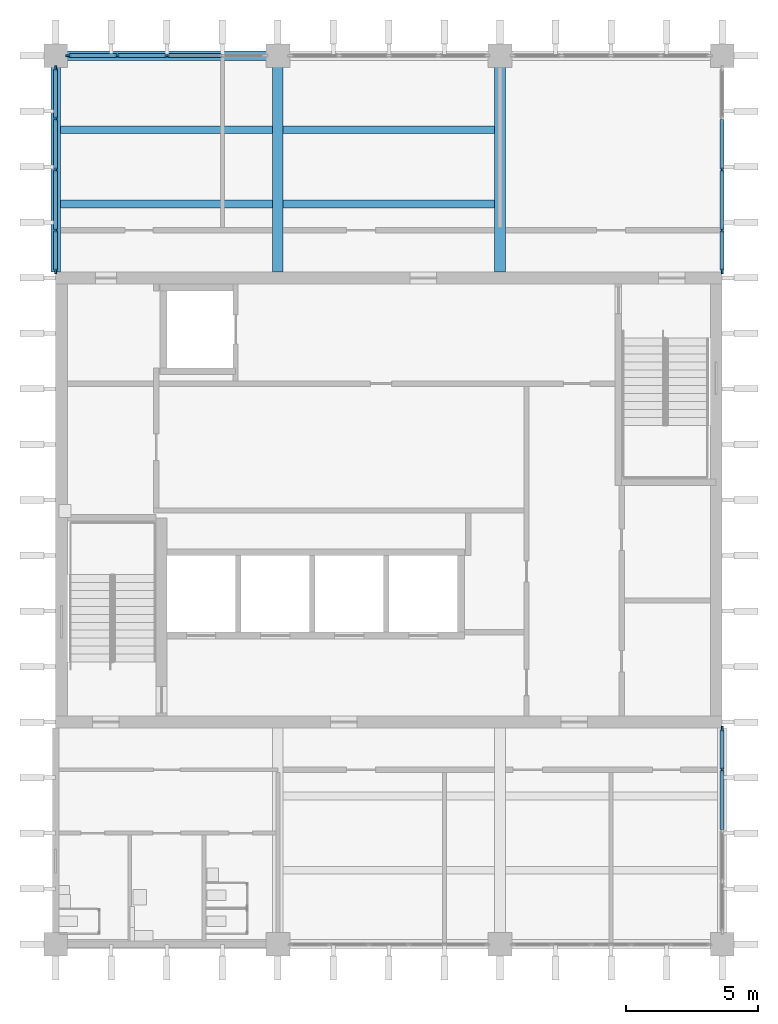
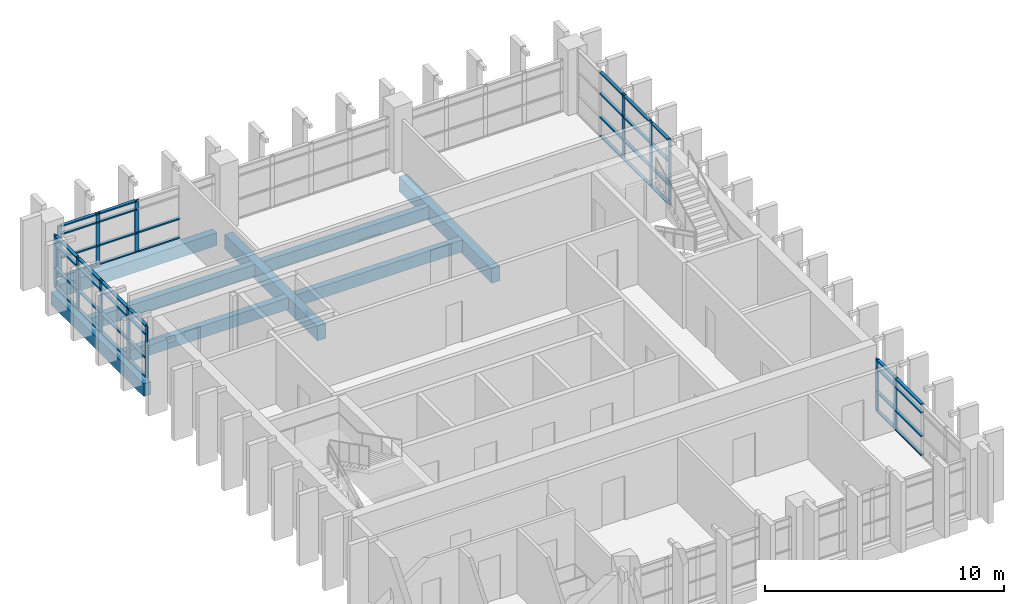
# One storey, part 3 of 11: 59 members, 8 beams, 4 elements without a shape of their own.
"""IFC4 building model written with IfcOpenShell, lengths in metres."""

from ifc_helpers import new_model, si_unit, direction, frame, origin, origin_2d, place, context, subcontext, project, spatial, rectangle, extrude, material, layer, layer_set, material_profile, profile_set, type_object, element, aggregate, save


model = new_model("IFC4")

# Units and contexts
model_context = context("Model", 3, precision=1e-05, world=origin(), true_north=direction((0.0, 1.0)))
body_context = subcontext(model_context, "Body", "Model", "MODEL_VIEW")
ifc_project = project(units=[si_unit("LENGTHUNIT", "METRE"), si_unit("AREAUNIT", "SQUARE_METRE"), si_unit("VOLUMEUNIT", "CUBIC_METRE"), si_unit("PLANEANGLEUNIT", "RADIAN"), si_unit("MASSUNIT", "GRAM", prefix="KILO")], contexts=[model_context])

# Site, building, storey
site_placement = place(None, origin())
site = spatial("IfcSite", under=ifc_project, at=site_placement, CompositionType="ELEMENT")
building_placement = place(site_placement, origin())
building = spatial("IfcBuilding", under=site, at=building_placement, Name="Rulbaag Community and Learning Centre", CompositionType="ELEMENT")
storey_placement = place(building_placement, frame((0.0, 0.0, 32.39990234375)))
storey = spatial("IfcBuildingStorey", under=building, at=storey_placement, Name="L08", CompositionType="ELEMENT", Elevation=32.39990234375)

# Beams
ifc_material_1 = material(Name="Concrete M40", Category="concrete")
ifc_material_profile_1 = material_profile(ifc_material_1, rectangle(XDim=0.35009765625, YDim=0.64990234375, at=origin_2d()), Name="RB350x650")
ifc_profile_set_1 = profile_set([ifc_material_profile_1], Name="Concrete M40")
beam_type_1 = type_object("IfcBeamType", Name="B14 Tower edge beam, upper zone 350x650 Concrete M40", PredefinedType="BEAM", material=ifc_profile_set_1)
beam_1_placement = place(storey_placement, frame((142.800048828125, 109.425048828125, -0.574951171875), z_axis=(0.0, 1.0, 0.0), x_axis=(-1.0, 0.0, 0.0)))
element("IfcBeam", 1, at=beam_1_placement, inside=storey, type_object=beam_type_1, Name="BM-L08-18N-18O", PredefinedType="BEAM", context=body_context, shape_type="SweptSolid", body=[
    extrude(rectangle(XDim=0.35009765625, YDim=0.64990234375, at=origin_2d()), origin(), (0.0, 0.0, 1.0), 7.744873046875),
])
beam_2_placement = place(storey_placement, frame((143.22998046875, 117.60009765625, -0.574951171875), z_axis=(1.0, 0.0, 0.0), x_axis=(0.0, 1.0, 0.0)))
element("IfcBeam", 2, at=beam_2_placement, inside=storey, type_object=beam_type_1, Name="BM-L08-18O-19O", PredefinedType="BEAM", context=body_context, shape_type="SweptSolid", body=[
    extrude(rectangle(XDim=0.35009765625, YDim=0.64990234375, at=origin_2d()), origin(), (0.0, 0.0, 1.0), 7.5400390625),
])
ifc_material_profile_2 = material_profile(ifc_material_1, rectangle(XDim=0.39990234375, YDim=0.75, at=origin_2d()), Name="RB400x750")
ifc_profile_set_2 = profile_set([ifc_material_profile_2], Name="Concrete M40")
beam_type_2 = type_object("IfcBeamType", Name="B15 Tower frame beam, middle zone 400x750 Concrete M40", PredefinedType="BEAM", material=ifc_profile_set_2)
for number, where, z_axis, x_axis, name in (
    (3, (151.199951171875, 109.425048828125, -0.625), (0.0, 1.0, 0.0), (-1.0, 0.0, 0.0), "BM-L08-19N-19O"),
    (4, (159.60009765625, 109.425048828125, -0.625), (0.0, 1.0, 0.0), (-1.0, 0.0, 0.0), "BM-L08-20N-20O"),
):
    element("IfcBeam", number, at=place(storey_placement, frame(where, z_axis=z_axis, x_axis=x_axis)), inside=storey, type_object=beam_type_2, Name=name, PredefinedType="BEAM", context=body_context, shape_type="SweptSolid", body=[
        extrude(rectangle(XDim=0.39990234375, YDim=0.75, at=origin_2d()), origin(), (0.0, 0.0, 1.0), 7.744873046875),
    ])
ifc_material_profile_3 = material_profile(ifc_material_1, rectangle(XDim=0.300048828125, YDim=0.60009765625, at=origin_2d()), Name="RB300x600")
ifc_profile_set_3 = profile_set([ifc_material_profile_3], Name="Concrete M40")
beam_type_3 = type_object("IfcBeamType", Name="B30 Secondary joist 300x600 Concrete M40", PredefinedType="BEAM", material=ifc_profile_set_3)
for number, where, z_axis, x_axis, name in (
    (5, (142.97509765625, 112.0, -0.5498046875), (1.0, 0.0, 0.0), (0.0, 1.0, 0.0), "BM-JS-L08-18N-1"),
    (6, (142.97509765625, 114.800048828125, -0.5498046875), (1.0, 0.0, 0.0), (0.0, 1.0, 0.0), "BM-JS-L08-18N-2"),
):
    element("IfcBeam", number, at=place(storey_placement, frame(where, z_axis=z_axis, x_axis=x_axis)), inside=storey, type_object=beam_type_3, Name=name, PredefinedType="BEAM", context=body_context, shape_type="SweptSolid", body=[
        extrude(rectangle(XDim=0.300048828125, YDim=0.60009765625, at=origin_2d()), origin(), (0.0, 0.0, 1.0), 8.02490234375),
    ])
for number, where, z_axis, x_axis, name in (
    (7, (151.39990234375, 112.0, -0.5498046875), (1.0, 0.0, 0.0), (0.0, 1.0, 0.0), "BM-JS-L08-19N-1"),
    (8, (151.39990234375, 114.800048828125, -0.5498046875), (1.0, 0.0, 0.0), (0.0, 1.0, 0.0), "BM-JS-L08-19N-2"),
):
    element("IfcBeam", number, at=place(storey_placement, frame(where, z_axis=z_axis, x_axis=x_axis)), inside=storey, type_object=beam_type_3, Name=name, PredefinedType="BEAM", context=body_context, shape_type="SweptSolid", body=[
        extrude(rectangle(XDim=0.300048828125, YDim=0.60009765625, at=origin_2d()), origin(), (0.0, 0.0, 1.0), 8.0),
    ])

# Curtain wall, members
ifc_material_2 = material(Name="Aluminium", Category="aluminium")
ifc_layer = layer(ifc_material_2, 0.14990234375)
ifc_layer_set = layer_set([ifc_layer], Name="CW-T")
curtain_wall_type = type_object("IfcCurtainWallType", Name="CW-T", PredefinedType="USERDEFINED", material=ifc_layer_set)
curtain_wall_1_placement = place(storey_placement, origin())
curtain_wall_1 = element("IfcCurtainWall", 9, at=curtain_wall_1_placement, inside=storey, type_object=curtain_wall_type, Name="GT-L08-01", ObjectType="UNITISED CURTAIN WALL", PredefinedType="USERDEFINED")
ifc_material_3 = material(Name="Aluminium mullion", Category="aluminium")
ifc_material_profile_4 = material_profile(ifc_material_3, rectangle(XDim=0.06494140625, YDim=0.199951171875, at=origin_2d()), Name="AL 65x200")
ifc_profile_set_4 = profile_set([ifc_material_profile_4], Name="Aluminium mullion")
member_type_1 = type_object("IfcMemberType", Name="CW-T-MUL", PredefinedType="MULLION", material=ifc_profile_set_4)
member_1_placement = place(storey_placement, frame((143.282470703125, 117.60009765625, 0.0), z_axis=(0.0, 0.0, 1.0), x_axis=(0.0, 1.0, 0.0)))
member_1 = element("IfcMember", 10, at=member_1_placement, type_object=member_type_1, Name="GT mullion 1", PredefinedType="MULLION", context=body_context, shape_type="SweptSolid", body=[
    extrude(rectangle(XDim=0.06494140625, YDim=0.199951171875, at=origin_2d()), origin(), (0.0, 0.0, 1.0), 2.650146484375),
])
member_2_placement = place(storey_placement, frame((145.125, 117.60009765625, 0.0), z_axis=(0.0, 0.0, 1.0), x_axis=(0.0, 1.0, 0.0)))
member_2 = element("IfcMember", 11, at=member_2_placement, type_object=member_type_1, Name="GT mullion 2", PredefinedType="MULLION", context=body_context, shape_type="SweptSolid", body=[
    extrude(rectangle(XDim=0.06494140625, YDim=0.199951171875, at=origin_2d()), origin(), (0.0, 0.0, 1.0), 2.650146484375),
])
member_3_placement = place(storey_placement, frame((147.0, 117.60009765625, 0.0), z_axis=(0.0, 0.0, 1.0), x_axis=(0.0, 1.0, 0.0)))
member_3 = element("IfcMember", 12, at=member_3_placement, type_object=member_type_1, Name="GT mullion 3", PredefinedType="MULLION", context=body_context, shape_type="SweptSolid", body=[
    extrude(rectangle(XDim=0.06494140625, YDim=0.199951171875, at=origin_2d()), origin(), (0.0, 0.0, 1.0), 2.650146484375),
])

curtain_wall_2_placement = place(storey_placement, origin())
curtain_wall_2 = element("IfcCurtainWall", 13, at=curtain_wall_2_placement, inside=storey, type_object=curtain_wall_type, Name="GT-L08-04", ObjectType="UNITISED CURTAIN WALL", PredefinedType="USERDEFINED")
member_4_placement = place(storey_placement, frame((142.800048828125, 109.45751953125, 0.0), z_axis=(0.0, 0.0, 1.0), x_axis=(-1.0, 0.0, 0.0)))
member_4 = element("IfcMember", 14, at=member_4_placement, type_object=member_type_1, Name="GT mullion 1", PredefinedType="MULLION", context=body_context, shape_type="SweptSolid", body=[
    extrude(rectangle(XDim=0.06494140625, YDim=0.199951171875, at=origin_2d()), origin(), (0.0, 0.0, 1.0), 2.650146484375),
])
member_5_placement = place(storey_placement, frame((142.800048828125, 111.0, 0.0), z_axis=(0.0, 0.0, 1.0), x_axis=(-1.0, 0.0, 0.0)))
member_5 = element("IfcMember", 15, at=member_5_placement, type_object=member_type_1, Name="GT mullion 2", PredefinedType="MULLION", context=body_context, shape_type="SweptSolid", body=[
    extrude(rectangle(XDim=0.06494140625, YDim=0.199951171875, at=origin_2d()), origin(), (0.0, 0.0, 1.0), 2.650146484375),
])
member_6_placement = place(storey_placement, frame((142.800048828125, 113.28759765625, 0.0), z_axis=(0.0, 0.0, 1.0), x_axis=(-1.0, 0.0, 0.0)))
member_6 = element("IfcMember", 16, at=member_6_placement, type_object=member_type_1, Name="GT mullion 3", PredefinedType="MULLION", context=body_context, shape_type="SweptSolid", body=[
    extrude(rectangle(XDim=0.06494140625, YDim=0.199951171875, at=origin_2d()), origin(), (0.0, 0.0, 1.0), 2.650146484375),
])
member_7_placement = place(storey_placement, frame((142.800048828125, 115.21875, 0.0), z_axis=(0.0, 0.0, 1.0), x_axis=(-1.0, 0.0, 0.0)))
member_7 = element("IfcMember", 17, at=member_7_placement, type_object=member_type_1, Name="GT mullion 4", PredefinedType="MULLION", context=body_context, shape_type="SweptSolid", body=[
    extrude(rectangle(XDim=0.06494140625, YDim=0.199951171875, at=origin_2d()), origin(), (0.0, 0.0, 1.0), 2.650146484375),
])
member_8_placement = place(storey_placement, frame((142.800048828125, 117.117431640625, 0.0), z_axis=(0.0, 0.0, 1.0), x_axis=(-1.0, 0.0, 0.0)))
member_8 = element("IfcMember", 18, at=member_8_placement, type_object=member_type_1, Name="GT mullion 5", PredefinedType="MULLION", context=body_context, shape_type="SweptSolid", body=[
    extrude(rectangle(XDim=0.06494140625, YDim=0.199951171875, at=origin_2d()), origin(), (0.0, 0.0, 1.0), 2.650146484375),
])

curtain_wall_3_placement = place(storey_placement, origin())
curtain_wall_3 = element("IfcCurtainWall", 19, at=curtain_wall_3_placement, inside=storey, type_object=curtain_wall_type, Name="GT-L08-05", ObjectType="UNITISED CURTAIN WALL", PredefinedType="USERDEFINED")
member_9_placement = place(storey_placement, frame((168.0, 90.60009765625, 0.0), z_axis=(0.0, 0.0, 1.0), x_axis=(-1.0, 0.0, 0.0)))
member_9 = element("IfcMember", 20, at=member_9_placement, type_object=member_type_1, Name="GT mullion 4", PredefinedType="MULLION", context=body_context, shape_type="SweptSolid", body=[
    extrude(rectangle(XDim=0.06494140625, YDim=0.199951171875, at=origin_2d()), origin(), (0.0, 0.0, 1.0), 2.650146484375),
])
member_10_placement = place(storey_placement, frame((168.0, 92.142578125, 0.0), z_axis=(0.0, 0.0, 1.0), x_axis=(-1.0, 0.0, 0.0)))
member_10 = element("IfcMember", 21, at=member_10_placement, type_object=member_type_1, Name="GT mullion 5", PredefinedType="MULLION", context=body_context, shape_type="SweptSolid", body=[
    extrude(rectangle(XDim=0.06494140625, YDim=0.199951171875, at=origin_2d()), origin(), (0.0, 0.0, 1.0), 2.650146484375),
])

curtain_wall_4_placement = place(storey_placement, origin())
curtain_wall_4 = element("IfcCurtainWall", 22, at=curtain_wall_4_placement, inside=storey, type_object=curtain_wall_type, Name="GT-L08-06", ObjectType="UNITISED CURTAIN WALL", PredefinedType="USERDEFINED")
member_11_placement = place(storey_placement, frame((168.0, 109.45751953125, 0.0), z_axis=(0.0, 0.0, 1.0), x_axis=(-1.0, 0.0, 0.0)))
member_11 = element("IfcMember", 23, at=member_11_placement, type_object=member_type_1, Name="GT mullion 1", PredefinedType="MULLION", context=body_context, shape_type="SweptSolid", body=[
    extrude(rectangle(XDim=0.06494140625, YDim=0.199951171875, at=origin_2d()), origin(), (0.0, 0.0, 1.0), 3.300048828125),
])
member_12_placement = place(storey_placement, frame((168.0, 111.0, 0.0), z_axis=(0.0, 0.0, 1.0), x_axis=(-1.0, 0.0, 0.0)))
member_12 = element("IfcMember", 24, at=member_12_placement, type_object=member_type_1, Name="GT mullion 2", PredefinedType="MULLION", context=body_context, shape_type="SweptSolid", body=[
    extrude(rectangle(XDim=0.06494140625, YDim=0.199951171875, at=origin_2d()), origin(), (0.0, 0.0, 1.0), 3.300048828125),
])
member_13_placement = place(storey_placement, frame((168.0, 113.28759765625, 0.0), z_axis=(0.0, 0.0, 1.0), x_axis=(-1.0, 0.0, 0.0)))
member_13 = element("IfcMember", 25, at=member_13_placement, type_object=member_type_1, Name="GT mullion 3", PredefinedType="MULLION", context=body_context, shape_type="SweptSolid", body=[
    extrude(rectangle(XDim=0.06494140625, YDim=0.199951171875, at=origin_2d()), origin(), (0.0, 0.0, 1.0), 3.300048828125),
])

# Member
ifc_material_4 = material(Name="Aluminium transom", Category="aluminium")
ifc_material_profile_5 = material_profile(ifc_material_4, rectangle(XDim=0.14990234375, YDim=0.06494140625, at=origin_2d()), Name="AL 65x150 T")
ifc_profile_set_5 = profile_set([ifc_material_profile_5], Name="Aluminium transom")
member_type_2 = type_object("IfcMemberType", Name="CW-T-TRN", PredefinedType="USERDEFINED", material=ifc_profile_set_5)
member_14_placement = place(storey_placement, frame((143.31494140625, 117.60009765625, 0.03271484375), z_axis=(1.0, 0.0, 0.0), x_axis=(0.0, 1.0, 0.0)))
member_14 = element("IfcMember", 26, at=member_14_placement, type_object=member_type_2, Name="GT transom 1.1", ObjectType="TRANSOM", PredefinedType="USERDEFINED", context=body_context, shape_type="SweptSolid", body=[
    extrude(rectangle(XDim=0.14990234375, YDim=0.06494140625, at=origin_2d()), origin(), (0.0, 0.0, 1.0), 1.777587890625),
])

member_15_placement = place(storey_placement, frame((143.31494140625, 117.60009765625, 1.0), z_axis=(1.0, 0.0, 0.0), x_axis=(0.0, 1.0, 0.0)))
member_15 = element("IfcMember", 27, at=member_15_placement, type_object=member_type_2, Name="GT transom 1.2", ObjectType="TRANSOM", PredefinedType="USERDEFINED", context=body_context, shape_type="SweptSolid", body=[
    extrude(rectangle(XDim=0.14990234375, YDim=0.06494140625, at=origin_2d()), origin(), (0.0, 0.0, 1.0), 1.777587890625),
])

member_16_placement = place(storey_placement, frame((143.31494140625, 117.60009765625, 2.2001953125), z_axis=(1.0, 0.0, 0.0), x_axis=(0.0, 1.0, 0.0)))
member_16 = element("IfcMember", 28, at=member_16_placement, type_object=member_type_2, Name="GT transom 1.3", ObjectType="TRANSOM", PredefinedType="USERDEFINED", context=body_context, shape_type="SweptSolid", body=[
    extrude(rectangle(XDim=0.14990234375, YDim=0.06494140625, at=origin_2d()), origin(), (0.0, 0.0, 1.0), 1.777587890625),
])

member_17_placement = place(storey_placement, frame((143.31494140625, 117.60009765625, 2.61767578125), z_axis=(1.0, 0.0, 0.0), x_axis=(0.0, 1.0, 0.0)))
member_17 = element("IfcMember", 29, at=member_17_placement, type_object=member_type_2, Name="GT transom 1.4", ObjectType="TRANSOM", PredefinedType="USERDEFINED", context=body_context, shape_type="SweptSolid", body=[
    extrude(rectangle(XDim=0.14990234375, YDim=0.06494140625, at=origin_2d()), origin(), (0.0, 0.0, 1.0), 1.777587890625),
])

member_18_placement = place(storey_placement, frame((145.157470703125, 117.60009765625, 0.03271484375), z_axis=(1.0, 0.0, 0.0), x_axis=(0.0, 1.0, 0.0)))
member_18 = element("IfcMember", 30, at=member_18_placement, type_object=member_type_2, Name="GT transom 2.1", ObjectType="TRANSOM", PredefinedType="USERDEFINED", context=body_context, shape_type="SweptSolid", body=[
    extrude(rectangle(XDim=0.14990234375, YDim=0.06494140625, at=origin_2d()), origin(), (0.0, 0.0, 1.0), 1.81005859375),
])

member_19_placement = place(storey_placement, frame((145.157470703125, 117.60009765625, 1.0), z_axis=(1.0, 0.0, 0.0), x_axis=(0.0, 1.0, 0.0)))
member_19 = element("IfcMember", 31, at=member_19_placement, type_object=member_type_2, Name="GT transom 2.2", ObjectType="TRANSOM", PredefinedType="USERDEFINED", context=body_context, shape_type="SweptSolid", body=[
    extrude(rectangle(XDim=0.14990234375, YDim=0.06494140625, at=origin_2d()), origin(), (0.0, 0.0, 1.0), 1.81005859375),
])

member_20_placement = place(storey_placement, frame((145.157470703125, 117.60009765625, 2.2001953125), z_axis=(1.0, 0.0, 0.0), x_axis=(0.0, 1.0, 0.0)))
member_20 = element("IfcMember", 32, at=member_20_placement, type_object=member_type_2, Name="GT transom 2.3", ObjectType="TRANSOM", PredefinedType="USERDEFINED", context=body_context, shape_type="SweptSolid", body=[
    extrude(rectangle(XDim=0.14990234375, YDim=0.06494140625, at=origin_2d()), origin(), (0.0, 0.0, 1.0), 1.81005859375),
])

member_21_placement = place(storey_placement, frame((145.157470703125, 117.60009765625, 2.61767578125), z_axis=(1.0, 0.0, 0.0), x_axis=(0.0, 1.0, 0.0)))
member_21 = element("IfcMember", 33, at=member_21_placement, type_object=member_type_2, Name="GT transom 2.4", ObjectType="TRANSOM", PredefinedType="USERDEFINED", context=body_context, shape_type="SweptSolid", body=[
    extrude(rectangle(XDim=0.14990234375, YDim=0.06494140625, at=origin_2d()), origin(), (0.0, 0.0, 1.0), 1.81005859375),
])

member_22_placement = place(storey_placement, frame((147.032470703125, 117.60009765625, 0.03271484375), z_axis=(1.0, 0.0, 0.0), x_axis=(0.0, 1.0, 0.0)))
member_22 = element("IfcMember", 34, at=member_22_placement, type_object=member_type_2, Name="GT transom 3.1", ObjectType="TRANSOM", PredefinedType="USERDEFINED", context=body_context, shape_type="SweptSolid", body=[
    extrude(rectangle(XDim=0.14990234375, YDim=0.06494140625, at=origin_2d()), origin(), (0.0, 0.0, 1.0), 2.034912109375),
])

member_23_placement = place(storey_placement, frame((147.032470703125, 117.60009765625, 1.0), z_axis=(1.0, 0.0, 0.0), x_axis=(0.0, 1.0, 0.0)))
member_23 = element("IfcMember", 35, at=member_23_placement, type_object=member_type_2, Name="GT transom 3.2", ObjectType="TRANSOM", PredefinedType="USERDEFINED", context=body_context, shape_type="SweptSolid", body=[
    extrude(rectangle(XDim=0.14990234375, YDim=0.06494140625, at=origin_2d()), origin(), (0.0, 0.0, 1.0), 2.034912109375),
])

aggregate(curtain_wall_1, [member_1, member_2, member_3, member_14, member_15, member_16, member_17, member_18, member_19, member_20, member_21, member_22, member_23])

member_24_placement = place(storey_placement, frame((142.800048828125, 109.489990234375, 0.03271484375), z_axis=(0.0, 1.0, 0.0), x_axis=(-1.0, 0.0, 0.0)))
member_24 = element("IfcMember", 36, at=member_24_placement, type_object=member_type_2, Name="GT transom 1.1", ObjectType="TRANSOM", PredefinedType="USERDEFINED", context=body_context, shape_type="SweptSolid", body=[
    extrude(rectangle(XDim=0.14990234375, YDim=0.06494140625, at=origin_2d()), origin(), (0.0, 0.0, 1.0), 1.4775390625),
])

member_25_placement = place(storey_placement, frame((142.800048828125, 109.489990234375, 1.0), z_axis=(0.0, 1.0, 0.0), x_axis=(-1.0, 0.0, 0.0)))
member_25 = element("IfcMember", 37, at=member_25_placement, type_object=member_type_2, Name="GT transom 1.2", ObjectType="TRANSOM", PredefinedType="USERDEFINED", context=body_context, shape_type="SweptSolid", body=[
    extrude(rectangle(XDim=0.14990234375, YDim=0.06494140625, at=origin_2d()), origin(), (0.0, 0.0, 1.0), 1.4775390625),
])

member_26_placement = place(storey_placement, frame((142.800048828125, 109.489990234375, 2.2001953125), z_axis=(0.0, 1.0, 0.0), x_axis=(-1.0, 0.0, 0.0)))
member_26 = element("IfcMember", 38, at=member_26_placement, type_object=member_type_2, Name="GT transom 1.3", ObjectType="TRANSOM", PredefinedType="USERDEFINED", context=body_context, shape_type="SweptSolid", body=[
    extrude(rectangle(XDim=0.14990234375, YDim=0.06494140625, at=origin_2d()), origin(), (0.0, 0.0, 1.0), 1.4775390625),
])

member_27_placement = place(storey_placement, frame((142.800048828125, 109.489990234375, 2.61767578125), z_axis=(0.0, 1.0, 0.0), x_axis=(-1.0, 0.0, 0.0)))
member_27 = element("IfcMember", 39, at=member_27_placement, type_object=member_type_2, Name="GT transom 1.4", ObjectType="TRANSOM", PredefinedType="USERDEFINED", context=body_context, shape_type="SweptSolid", body=[
    extrude(rectangle(XDim=0.14990234375, YDim=0.06494140625, at=origin_2d()), origin(), (0.0, 0.0, 1.0), 1.4775390625),
])

member_28_placement = place(storey_placement, frame((142.800048828125, 111.032470703125, 0.03271484375), z_axis=(0.0, 1.0, 0.0), x_axis=(-1.0, 0.0, 0.0)))
member_28 = element("IfcMember", 40, at=member_28_placement, type_object=member_type_2, Name="GT transom 2.1", ObjectType="TRANSOM", PredefinedType="USERDEFINED", context=body_context, shape_type="SweptSolid", body=[
    extrude(rectangle(XDim=0.14990234375, YDim=0.06494140625, at=origin_2d()), origin(), (0.0, 0.0, 1.0), 2.222412109375),
])

member_29_placement = place(storey_placement, frame((142.800048828125, 111.032470703125, 1.0), z_axis=(0.0, 1.0, 0.0), x_axis=(-1.0, 0.0, 0.0)))
member_29 = element("IfcMember", 41, at=member_29_placement, type_object=member_type_2, Name="GT transom 2.2", ObjectType="TRANSOM", PredefinedType="USERDEFINED", context=body_context, shape_type="SweptSolid", body=[
    extrude(rectangle(XDim=0.14990234375, YDim=0.06494140625, at=origin_2d()), origin(), (0.0, 0.0, 1.0), 2.222412109375),
])

member_30_placement = place(storey_placement, frame((142.800048828125, 111.032470703125, 2.2001953125), z_axis=(0.0, 1.0, 0.0), x_axis=(-1.0, 0.0, 0.0)))
member_30 = element("IfcMember", 42, at=member_30_placement, type_object=member_type_2, Name="GT transom 2.3", ObjectType="TRANSOM", PredefinedType="USERDEFINED", context=body_context, shape_type="SweptSolid", body=[
    extrude(rectangle(XDim=0.14990234375, YDim=0.06494140625, at=origin_2d()), origin(), (0.0, 0.0, 1.0), 2.222412109375),
])

member_31_placement = place(storey_placement, frame((142.800048828125, 111.032470703125, 2.61767578125), z_axis=(0.0, 1.0, 0.0), x_axis=(-1.0, 0.0, 0.0)))
member_31 = element("IfcMember", 43, at=member_31_placement, type_object=member_type_2, Name="GT transom 2.4", ObjectType="TRANSOM", PredefinedType="USERDEFINED", context=body_context, shape_type="SweptSolid", body=[
    extrude(rectangle(XDim=0.14990234375, YDim=0.06494140625, at=origin_2d()), origin(), (0.0, 0.0, 1.0), 2.222412109375),
])

member_32_placement = place(storey_placement, frame((142.800048828125, 113.320068359375, 0.03271484375), z_axis=(0.0, 1.0, 0.0), x_axis=(-1.0, 0.0, 0.0)))
member_32 = element("IfcMember", 44, at=member_32_placement, type_object=member_type_2, Name="GT transom 3.1", ObjectType="TRANSOM", PredefinedType="USERDEFINED", context=body_context, shape_type="SweptSolid", body=[
    extrude(rectangle(XDim=0.14990234375, YDim=0.06494140625, at=origin_2d()), origin(), (0.0, 0.0, 1.0), 1.8662109375),
])

member_33_placement = place(storey_placement, frame((142.800048828125, 113.320068359375, 1.0), z_axis=(0.0, 1.0, 0.0), x_axis=(-1.0, 0.0, 0.0)))
member_33 = element("IfcMember", 45, at=member_33_placement, type_object=member_type_2, Name="GT transom 3.2", ObjectType="TRANSOM", PredefinedType="USERDEFINED", context=body_context, shape_type="SweptSolid", body=[
    extrude(rectangle(XDim=0.14990234375, YDim=0.06494140625, at=origin_2d()), origin(), (0.0, 0.0, 1.0), 1.8662109375),
])

member_34_placement = place(storey_placement, frame((142.800048828125, 113.320068359375, 2.2001953125), z_axis=(0.0, 1.0, 0.0), x_axis=(-1.0, 0.0, 0.0)))
member_34 = element("IfcMember", 46, at=member_34_placement, type_object=member_type_2, Name="GT transom 3.3", ObjectType="TRANSOM", PredefinedType="USERDEFINED", context=body_context, shape_type="SweptSolid", body=[
    extrude(rectangle(XDim=0.14990234375, YDim=0.06494140625, at=origin_2d()), origin(), (0.0, 0.0, 1.0), 1.8662109375),
])

member_35_placement = place(storey_placement, frame((142.800048828125, 113.320068359375, 2.61767578125), z_axis=(0.0, 1.0, 0.0), x_axis=(-1.0, 0.0, 0.0)))
member_35 = element("IfcMember", 47, at=member_35_placement, type_object=member_type_2, Name="GT transom 3.4", ObjectType="TRANSOM", PredefinedType="USERDEFINED", context=body_context, shape_type="SweptSolid", body=[
    extrude(rectangle(XDim=0.14990234375, YDim=0.06494140625, at=origin_2d()), origin(), (0.0, 0.0, 1.0), 1.8662109375),
])

member_36_placement = place(storey_placement, frame((142.800048828125, 115.251220703125, 0.03271484375), z_axis=(0.0, 1.0, 0.0), x_axis=(-1.0, 0.0, 0.0)))
member_36 = element("IfcMember", 48, at=member_36_placement, type_object=member_type_2, Name="GT transom 4.1", ObjectType="TRANSOM", PredefinedType="USERDEFINED", context=body_context, shape_type="SweptSolid", body=[
    extrude(rectangle(XDim=0.14990234375, YDim=0.06494140625, at=origin_2d()), origin(), (0.0, 0.0, 1.0), 1.833740234375),
])

member_37_placement = place(storey_placement, frame((142.800048828125, 115.251220703125, 1.0), z_axis=(0.0, 1.0, 0.0), x_axis=(-1.0, 0.0, 0.0)))
member_37 = element("IfcMember", 49, at=member_37_placement, type_object=member_type_2, Name="GT transom 4.2", ObjectType="TRANSOM", PredefinedType="USERDEFINED", context=body_context, shape_type="SweptSolid", body=[
    extrude(rectangle(XDim=0.14990234375, YDim=0.06494140625, at=origin_2d()), origin(), (0.0, 0.0, 1.0), 1.833740234375),
])

member_38_placement = place(storey_placement, frame((142.800048828125, 115.251220703125, 2.2001953125), z_axis=(0.0, 1.0, 0.0), x_axis=(-1.0, 0.0, 0.0)))
member_38 = element("IfcMember", 50, at=member_38_placement, type_object=member_type_2, Name="GT transom 4.3", ObjectType="TRANSOM", PredefinedType="USERDEFINED", context=body_context, shape_type="SweptSolid", body=[
    extrude(rectangle(XDim=0.14990234375, YDim=0.06494140625, at=origin_2d()), origin(), (0.0, 0.0, 1.0), 1.833740234375),
])

member_39_placement = place(storey_placement, frame((142.800048828125, 115.251220703125, 2.61767578125), z_axis=(0.0, 1.0, 0.0), x_axis=(-1.0, 0.0, 0.0)))
member_39 = element("IfcMember", 51, at=member_39_placement, type_object=member_type_2, Name="GT transom 4.4", ObjectType="TRANSOM", PredefinedType="USERDEFINED", context=body_context, shape_type="SweptSolid", body=[
    extrude(rectangle(XDim=0.14990234375, YDim=0.06494140625, at=origin_2d()), origin(), (0.0, 0.0, 1.0), 1.833740234375),
])

aggregate(curtain_wall_2, [member_4, member_5, member_6, member_7, member_8, member_24, member_25, member_26, member_27, member_28, member_29, member_30, member_31, member_32, member_33, member_34, member_35, member_36, member_37, member_38, member_39])

member_40_placement = place(storey_placement, frame((168.0, 88.344970703125, 0.03271484375), z_axis=(0.0, 1.0, 0.0), x_axis=(-1.0, 0.0, 0.0)))
member_40 = element("IfcMember", 52, at=member_40_placement, type_object=member_type_2, Name="GT transom 3.1", ObjectType="TRANSOM", PredefinedType="USERDEFINED", context=body_context, shape_type="SweptSolid", body=[
    extrude(rectangle(XDim=0.14990234375, YDim=0.06494140625, at=origin_2d()), origin(), (0.0, 0.0, 1.0), 2.222412109375),
])

member_41_placement = place(storey_placement, frame((168.0, 88.344970703125, 1.0), z_axis=(0.0, 1.0, 0.0), x_axis=(-1.0, 0.0, 0.0)))
member_41 = element("IfcMember", 53, at=member_41_placement, type_object=member_type_2, Name="GT transom 3.2", ObjectType="TRANSOM", PredefinedType="USERDEFINED", context=body_context, shape_type="SweptSolid", body=[
    extrude(rectangle(XDim=0.14990234375, YDim=0.06494140625, at=origin_2d()), origin(), (0.0, 0.0, 1.0), 2.222412109375),
])

member_42_placement = place(storey_placement, frame((168.0, 88.344970703125, 2.2001953125), z_axis=(0.0, 1.0, 0.0), x_axis=(-1.0, 0.0, 0.0)))
member_42 = element("IfcMember", 54, at=member_42_placement, type_object=member_type_2, Name="GT transom 3.3", ObjectType="TRANSOM", PredefinedType="USERDEFINED", context=body_context, shape_type="SweptSolid", body=[
    extrude(rectangle(XDim=0.14990234375, YDim=0.06494140625, at=origin_2d()), origin(), (0.0, 0.0, 1.0), 2.222412109375),
])

member_43_placement = place(storey_placement, frame((168.0, 88.344970703125, 2.61767578125), z_axis=(0.0, 1.0, 0.0), x_axis=(-1.0, 0.0, 0.0)))
member_43 = element("IfcMember", 55, at=member_43_placement, type_object=member_type_2, Name="GT transom 3.4", ObjectType="TRANSOM", PredefinedType="USERDEFINED", context=body_context, shape_type="SweptSolid", body=[
    extrude(rectangle(XDim=0.14990234375, YDim=0.06494140625, at=origin_2d()), origin(), (0.0, 0.0, 1.0), 2.222412109375),
])

member_44_placement = place(storey_placement, frame((168.0, 90.632568359375, 0.03271484375), z_axis=(0.0, 1.0, 0.0), x_axis=(-1.0, 0.0, 0.0)))
member_44 = element("IfcMember", 56, at=member_44_placement, type_object=member_type_2, Name="GT transom 4.1", ObjectType="TRANSOM", PredefinedType="USERDEFINED", context=body_context, shape_type="SweptSolid", body=[
    extrude(rectangle(XDim=0.14990234375, YDim=0.06494140625, at=origin_2d()), origin(), (0.0, 0.0, 1.0), 1.4775390625),
])

member_45_placement = place(storey_placement, frame((168.0, 90.632568359375, 1.0), z_axis=(0.0, 1.0, 0.0), x_axis=(-1.0, 0.0, 0.0)))
member_45 = element("IfcMember", 57, at=member_45_placement, type_object=member_type_2, Name="GT transom 4.2", ObjectType="TRANSOM", PredefinedType="USERDEFINED", context=body_context, shape_type="SweptSolid", body=[
    extrude(rectangle(XDim=0.14990234375, YDim=0.06494140625, at=origin_2d()), origin(), (0.0, 0.0, 1.0), 1.4775390625),
])

member_46_placement = place(storey_placement, frame((168.0, 90.632568359375, 2.2001953125), z_axis=(0.0, 1.0, 0.0), x_axis=(-1.0, 0.0, 0.0)))
member_46 = element("IfcMember", 58, at=member_46_placement, type_object=member_type_2, Name="GT transom 4.3", ObjectType="TRANSOM", PredefinedType="USERDEFINED", context=body_context, shape_type="SweptSolid", body=[
    extrude(rectangle(XDim=0.14990234375, YDim=0.06494140625, at=origin_2d()), origin(), (0.0, 0.0, 1.0), 1.4775390625),
])

member_47_placement = place(storey_placement, frame((168.0, 90.632568359375, 2.61767578125), z_axis=(0.0, 1.0, 0.0), x_axis=(-1.0, 0.0, 0.0)))
member_47 = element("IfcMember", 59, at=member_47_placement, type_object=member_type_2, Name="GT transom 4.4", ObjectType="TRANSOM", PredefinedType="USERDEFINED", context=body_context, shape_type="SweptSolid", body=[
    extrude(rectangle(XDim=0.14990234375, YDim=0.06494140625, at=origin_2d()), origin(), (0.0, 0.0, 1.0), 1.4775390625),
])

aggregate(curtain_wall_3, [member_9, member_10, member_40, member_41, member_42, member_43, member_44, member_45, member_46, member_47])

member_48_placement = place(storey_placement, frame((168.0, 109.489990234375, 0.03271484375), z_axis=(0.0, 1.0, 0.0), x_axis=(-1.0, 0.0, 0.0)))
member_48 = element("IfcMember", 60, at=member_48_placement, type_object=member_type_2, Name="GT transom 1.1", ObjectType="TRANSOM", PredefinedType="USERDEFINED", context=body_context, shape_type="SweptSolid", body=[
    extrude(rectangle(XDim=0.14990234375, YDim=0.06494140625, at=origin_2d()), origin(), (0.0, 0.0, 1.0), 1.4775390625),
])

member_49_placement = place(storey_placement, frame((168.0, 109.489990234375, 1.0), z_axis=(0.0, 1.0, 0.0), x_axis=(-1.0, 0.0, 0.0)))
member_49 = element("IfcMember", 61, at=member_49_placement, type_object=member_type_2, Name="GT transom 1.2", ObjectType="TRANSOM", PredefinedType="USERDEFINED", context=body_context, shape_type="SweptSolid", body=[
    extrude(rectangle(XDim=0.14990234375, YDim=0.06494140625, at=origin_2d()), origin(), (0.0, 0.0, 1.0), 1.4775390625),
])

member_50_placement = place(storey_placement, frame((168.0, 109.489990234375, 2.2001953125), z_axis=(0.0, 1.0, 0.0), x_axis=(-1.0, 0.0, 0.0)))
member_50 = element("IfcMember", 62, at=member_50_placement, type_object=member_type_2, Name="GT transom 1.3", ObjectType="TRANSOM", PredefinedType="USERDEFINED", context=body_context, shape_type="SweptSolid", body=[
    extrude(rectangle(XDim=0.14990234375, YDim=0.06494140625, at=origin_2d()), origin(), (0.0, 0.0, 1.0), 1.4775390625),
])

member_51_placement = place(storey_placement, frame((168.0, 109.489990234375, 3.267578125), z_axis=(0.0, 1.0, 0.0), x_axis=(-1.0, 0.0, 0.0)))
member_51 = element("IfcMember", 63, at=member_51_placement, type_object=member_type_2, Name="GT transom 1.4", ObjectType="TRANSOM", PredefinedType="USERDEFINED", context=body_context, shape_type="SweptSolid", body=[
    extrude(rectangle(XDim=0.14990234375, YDim=0.06494140625, at=origin_2d()), origin(), (0.0, 0.0, 1.0), 1.4775390625),
])

member_52_placement = place(storey_placement, frame((168.0, 111.032470703125, 0.03271484375), z_axis=(0.0, 1.0, 0.0), x_axis=(-1.0, 0.0, 0.0)))
member_52 = element("IfcMember", 64, at=member_52_placement, type_object=member_type_2, Name="GT transom 2.1", ObjectType="TRANSOM", PredefinedType="USERDEFINED", context=body_context, shape_type="SweptSolid", body=[
    extrude(rectangle(XDim=0.14990234375, YDim=0.06494140625, at=origin_2d()), origin(), (0.0, 0.0, 1.0), 2.222412109375),
])

member_53_placement = place(storey_placement, frame((168.0, 111.032470703125, 1.0), z_axis=(0.0, 1.0, 0.0), x_axis=(-1.0, 0.0, 0.0)))
member_53 = element("IfcMember", 65, at=member_53_placement, type_object=member_type_2, Name="GT transom 2.2", ObjectType="TRANSOM", PredefinedType="USERDEFINED", context=body_context, shape_type="SweptSolid", body=[
    extrude(rectangle(XDim=0.14990234375, YDim=0.06494140625, at=origin_2d()), origin(), (0.0, 0.0, 1.0), 2.222412109375),
])

member_54_placement = place(storey_placement, frame((168.0, 111.032470703125, 2.2001953125), z_axis=(0.0, 1.0, 0.0), x_axis=(-1.0, 0.0, 0.0)))
member_54 = element("IfcMember", 66, at=member_54_placement, type_object=member_type_2, Name="GT transom 2.3", ObjectType="TRANSOM", PredefinedType="USERDEFINED", context=body_context, shape_type="SweptSolid", body=[
    extrude(rectangle(XDim=0.14990234375, YDim=0.06494140625, at=origin_2d()), origin(), (0.0, 0.0, 1.0), 2.222412109375),
])

member_55_placement = place(storey_placement, frame((168.0, 111.032470703125, 3.267578125), z_axis=(0.0, 1.0, 0.0), x_axis=(-1.0, 0.0, 0.0)))
member_55 = element("IfcMember", 67, at=member_55_placement, type_object=member_type_2, Name="GT transom 2.4", ObjectType="TRANSOM", PredefinedType="USERDEFINED", context=body_context, shape_type="SweptSolid", body=[
    extrude(rectangle(XDim=0.14990234375, YDim=0.06494140625, at=origin_2d()), origin(), (0.0, 0.0, 1.0), 2.222412109375),
])

member_56_placement = place(storey_placement, frame((168.0, 113.320068359375, 0.03271484375), z_axis=(0.0, 1.0, 0.0), x_axis=(-1.0, 0.0, 0.0)))
member_56 = element("IfcMember", 68, at=member_56_placement, type_object=member_type_2, Name="GT transom 3.1", ObjectType="TRANSOM", PredefinedType="USERDEFINED", context=body_context, shape_type="SweptSolid", body=[
    extrude(rectangle(XDim=0.14990234375, YDim=0.06494140625, at=origin_2d()), origin(), (0.0, 0.0, 1.0), 1.8662109375),
])

member_57_placement = place(storey_placement, frame((168.0, 113.320068359375, 1.0), z_axis=(0.0, 1.0, 0.0), x_axis=(-1.0, 0.0, 0.0)))
member_57 = element("IfcMember", 69, at=member_57_placement, type_object=member_type_2, Name="GT transom 3.2", ObjectType="TRANSOM", PredefinedType="USERDEFINED", context=body_context, shape_type="SweptSolid", body=[
    extrude(rectangle(XDim=0.14990234375, YDim=0.06494140625, at=origin_2d()), origin(), (0.0, 0.0, 1.0), 1.8662109375),
])

member_58_placement = place(storey_placement, frame((168.0, 113.320068359375, 2.2001953125), z_axis=(0.0, 1.0, 0.0), x_axis=(-1.0, 0.0, 0.0)))
member_58 = element("IfcMember", 70, at=member_58_placement, type_object=member_type_2, Name="GT transom 3.3", ObjectType="TRANSOM", PredefinedType="USERDEFINED", context=body_context, shape_type="SweptSolid", body=[
    extrude(rectangle(XDim=0.14990234375, YDim=0.06494140625, at=origin_2d()), origin(), (0.0, 0.0, 1.0), 1.8662109375),
])

member_59_placement = place(storey_placement, frame((168.0, 113.320068359375, 3.267578125), z_axis=(0.0, 1.0, 0.0), x_axis=(-1.0, 0.0, 0.0)))
member_59 = element("IfcMember", 71, at=member_59_placement, type_object=member_type_2, Name="GT transom 3.4", ObjectType="TRANSOM", PredefinedType="USERDEFINED", context=body_context, shape_type="SweptSolid", body=[
    extrude(rectangle(XDim=0.14990234375, YDim=0.06494140625, at=origin_2d()), origin(), (0.0, 0.0, 1.0), 1.8662109375),
])

aggregate(curtain_wall_4, [member_11, member_12, member_13, member_48, member_49, member_50, member_51, member_52, member_53, member_54, member_55, member_56, member_57, member_58, member_59])

save(model, "model.ifc")
